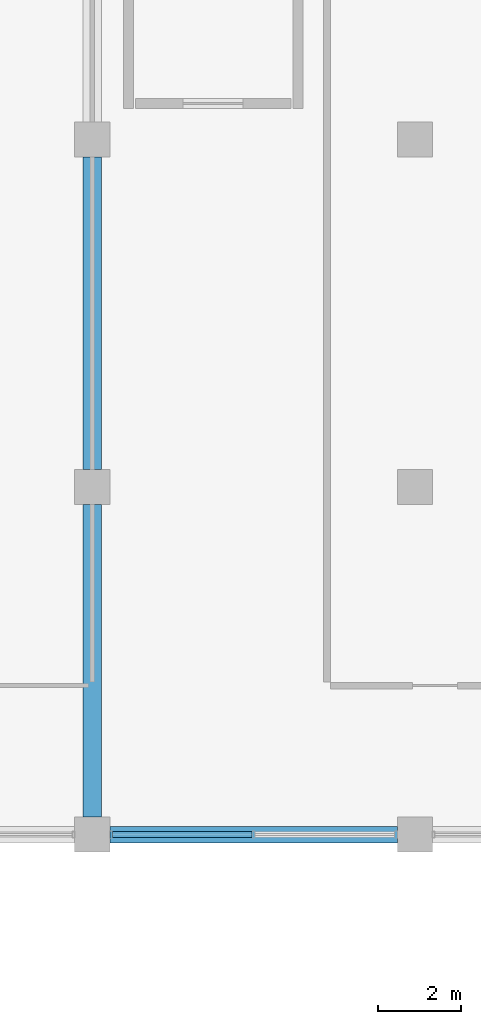
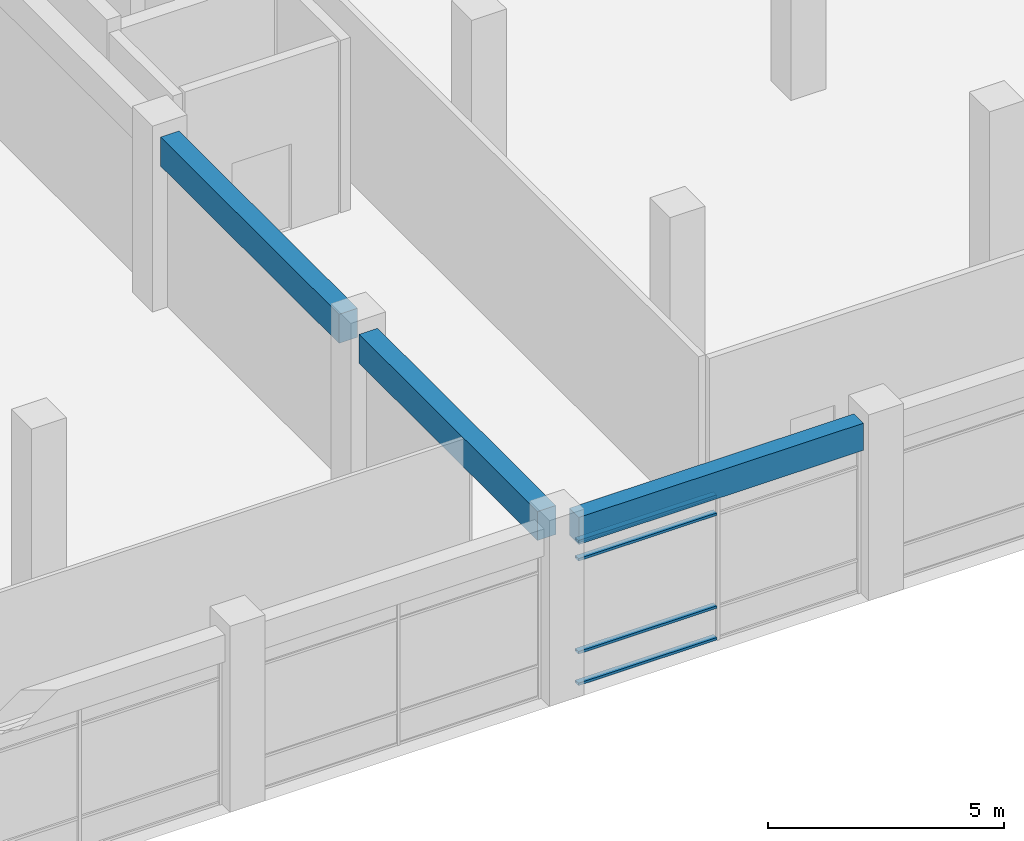
# One storey, part 28 of 79: 4 members, 3 beams, 1 element without a shape of its own.
"""IFC4 building model written with IfcOpenShell, lengths in metres."""

from ifc_helpers import new_model, si_unit, direction, frame, origin, origin_2d, place, context, subcontext, project, spatial, rectangle, hollow_rectangle, extrude, material, material_profile, profile_set, type_object, element, aggregate, save


model = new_model("IFC4")

# Units and contexts
model_context = context("Model", 3, precision=1e-05, world=origin(), true_north=direction((0.0, 1.0)))
body_context = subcontext(model_context, "Body", "Model", "MODEL_VIEW")
ifc_project = project(units=[si_unit("LENGTHUNIT", "METRE"), si_unit("AREAUNIT", "SQUARE_METRE"), si_unit("VOLUMEUNIT", "CUBIC_METRE"), si_unit("PLANEANGLEUNIT", "RADIAN"), si_unit("MASSUNIT", "GRAM", prefix="KILO"), si_unit("THERMODYNAMICTEMPERATUREUNIT", "KELVIN"), si_unit("POWERUNIT", "WATT")], contexts=[model_context])

# Site, building, storey
site_placement = place(None, origin())
site = spatial("IfcSite", under=ifc_project, at=site_placement, CompositionType="ELEMENT")
building_placement = place(site_placement, origin())
building = spatial("IfcBuilding", under=site, at=building_placement, Name="Srebrne Nadtorze General Hospital", CompositionType="ELEMENT")
storey_placement = place(building_placement, frame((0.0, 0.0, 4.800048828125)))
storey = spatial("IfcBuildingStorey", under=building, at=storey_placement, Name="L01", CompositionType="ELEMENT", Elevation=4.800048828125)

# Curtain wall, members
ifc_material_1 = material(Name="Anodised Aluminium", Category="aluminium")
curtain_wall_type = type_object("IfcCurtainWallType", Name="Unitised curtain wall 6950x3750", PredefinedType="NOTDEFINED", material=ifc_material_1)
curtain_wall_placement = place(storey_placement, origin())
curtain_wall = element("IfcCurtainWall", 1, at=curtain_wall_placement, inside=storey, type_object=curtain_wall_type, Name="Curtain wall CW-053", PredefinedType="NOTDEFINED")
ifc_material_2 = material(Name="Anodised Aluminium", Category="aluminium")
ifc_material_profile_1 = material_profile(ifc_material_2, hollow_rectangle(XDim=0.06494140625, YDim=0.139892578125, WallThickness=0.00390625, at=origin_2d()), Name="AL-TRN-65x140")
ifc_profile_set_1 = profile_set([ifc_material_profile_1], Name="Anodised Aluminium")
member_type = type_object("IfcMemberType", Name="Curtain transom 65x140", PredefinedType="USERDEFINED", material=ifc_profile_set_1)
member_1_placement = place(storey_placement, frame((78.489990234375, 50.39990234375, 0.032470703125), z_axis=(1.0, 0.0, 0.0), x_axis=(0.0, 0.0, 1.0)))
member_1 = element("IfcMember", 2, at=member_1_placement, type_object=member_type, Name="CW-053 transom 1.1", ObjectType="TRANSOM", PredefinedType="USERDEFINED", context=body_context, shape_type="SweptSolid", body=[
    extrude(hollow_rectangle(XDim=0.06494140625, YDim=0.139892578125, WallThickness=0.00390625, at=origin_2d()), origin(), (0.0, 0.0, 1.0), 3.37744140625),
])
member_2_placement = place(storey_placement, frame((78.489990234375, 50.39990234375, 0.849853515625), z_axis=(1.0, 0.0, 0.0), x_axis=(0.0, 0.0, 1.0)))
member_2 = element("IfcMember", 3, at=member_2_placement, type_object=member_type, Name="CW-053 transom 1.2", ObjectType="TRANSOM", PredefinedType="USERDEFINED", context=body_context, shape_type="SweptSolid", body=[
    extrude(hollow_rectangle(XDim=0.06494140625, YDim=0.139892578125, WallThickness=0.00390625, at=origin_2d()), origin(), (0.0, 0.0, 1.0), 3.37744140625),
])
member_3_placement = place(storey_placement, frame((78.489990234375, 50.39990234375, 3.25), z_axis=(1.0, 0.0, 0.0), x_axis=(0.0, 0.0, 1.0)))
member_3 = element("IfcMember", 4, at=member_3_placement, type_object=member_type, Name="CW-053 transom 1.3", ObjectType="TRANSOM", PredefinedType="USERDEFINED", context=body_context, shape_type="SweptSolid", body=[
    extrude(hollow_rectangle(XDim=0.06494140625, YDim=0.139892578125, WallThickness=0.00390625, at=origin_2d()), origin(), (0.0, 0.0, 1.0), 3.37744140625),
])
member_4_placement = place(storey_placement, frame((78.489990234375, 50.39990234375, 3.717529296875), z_axis=(1.0, 0.0, 0.0), x_axis=(0.0, 0.0, 1.0)))
member_4 = element("IfcMember", 5, at=member_4_placement, type_object=member_type, Name="CW-053 transom 1.4", ObjectType="TRANSOM", PredefinedType="USERDEFINED", context=body_context, shape_type="SweptSolid", body=[
    extrude(hollow_rectangle(XDim=0.06494140625, YDim=0.139892578125, WallThickness=0.00390625, at=origin_2d()), origin(), (0.0, 0.0, 1.0), 3.37744140625),
])
aggregate(curtain_wall, [member_1, member_2, member_3, member_4])

# Beams
ifc_material_3 = material(Name="Concrete C40/50", Category="concrete")
ifc_material_profile_2 = material_profile(ifc_material_3, rectangle(XDim=0.39990234375, YDim=0.699951171875, at=origin_2d()), Name="RC-BM-400x700")
ifc_profile_set_2 = profile_set([ifc_material_profile_2], Name="Concrete C40/50")
beam_type_1 = type_object("IfcBeamType", Name="Edge beam RC 400x700", PredefinedType="BEAM", material=ifc_profile_set_2)
beam_1_placement = place(storey_placement, frame((78.425048828125, 50.39990234375, 4.099853515625), z_axis=(1.0, 0.0, 0.0), x_axis=(0.0, 1.0, 0.0)))
element("IfcBeam", 6, at=beam_1_placement, inside=storey, type_object=beam_type_1, Name="Beam BM-L01-X-0415", PredefinedType="BEAM", context=body_context, shape_type="SweptSolid", body=[
    extrude(rectangle(XDim=0.39990234375, YDim=0.699951171875, at=origin_2d()), origin(), (0.0, 0.0, 1.0), 6.949951171875),
])
ifc_material_4 = material(Name="Concrete C40/50", Category="concrete")
ifc_material_profile_3 = material_profile(ifc_material_4, rectangle(XDim=0.449951171875, YDim=0.75, at=origin_2d()), Name="RC-BM-450x750")
ifc_profile_set_3 = profile_set([ifc_material_profile_3], Name="Concrete C40/50")
beam_type_2 = type_object("IfcBeamType", Name="Primary beam RC 450x750", PredefinedType="BEAM", material=ifc_profile_set_3)
beam_2_placement = place(storey_placement, frame((78.0, 50.824951171875, 4.074951171875), z_axis=(0.0, 1.0, 0.0), x_axis=(-1.0, 0.0, 0.0)))
element("IfcBeam", 7, at=beam_2_placement, inside=storey, type_object=beam_type_2, Name="Beam BM-L01-Y-0502", PredefinedType="BEAM", context=body_context, shape_type="SweptSolid", body=[
    extrude(rectangle(XDim=0.449951171875, YDim=0.75, at=origin_2d()), origin(), (0.0, 0.0, 1.0), 7.550048828125),
])
beam_3_placement = place(storey_placement, frame((78.0, 59.22509765625, 4.074951171875), z_axis=(0.0, 1.0, 0.0), x_axis=(-1.0, 0.0, 0.0)))
element("IfcBeam", 8, at=beam_3_placement, inside=storey, type_object=beam_type_2, Name="Beam BM-L01-Y-0503", PredefinedType="BEAM", context=body_context, shape_type="SweptSolid", body=[
    extrude(rectangle(XDim=0.449951171875, YDim=0.75, at=origin_2d()), origin(), (0.0, 0.0, 1.0), 7.5498046875),
])

save(model, "model.ifc")
